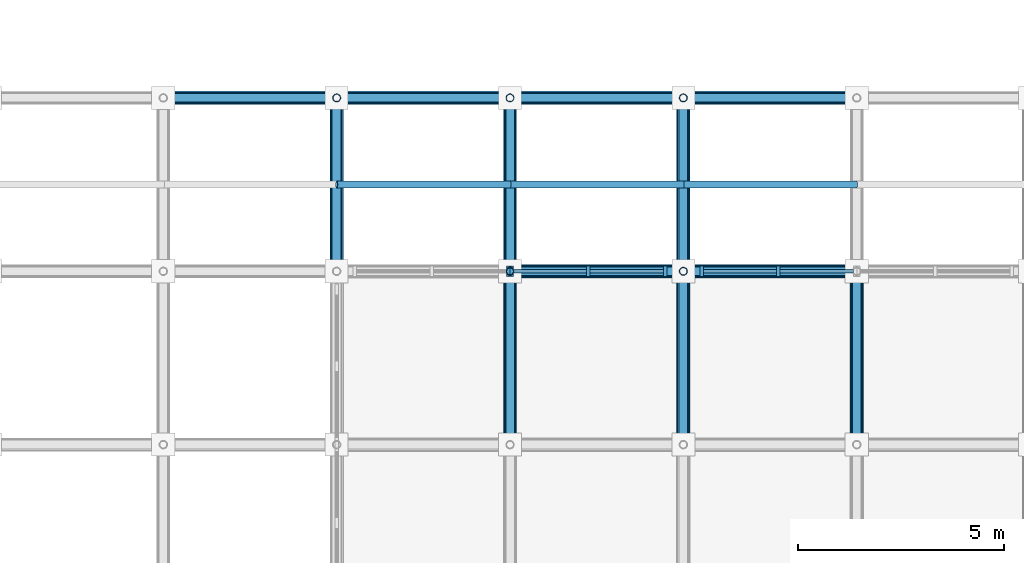
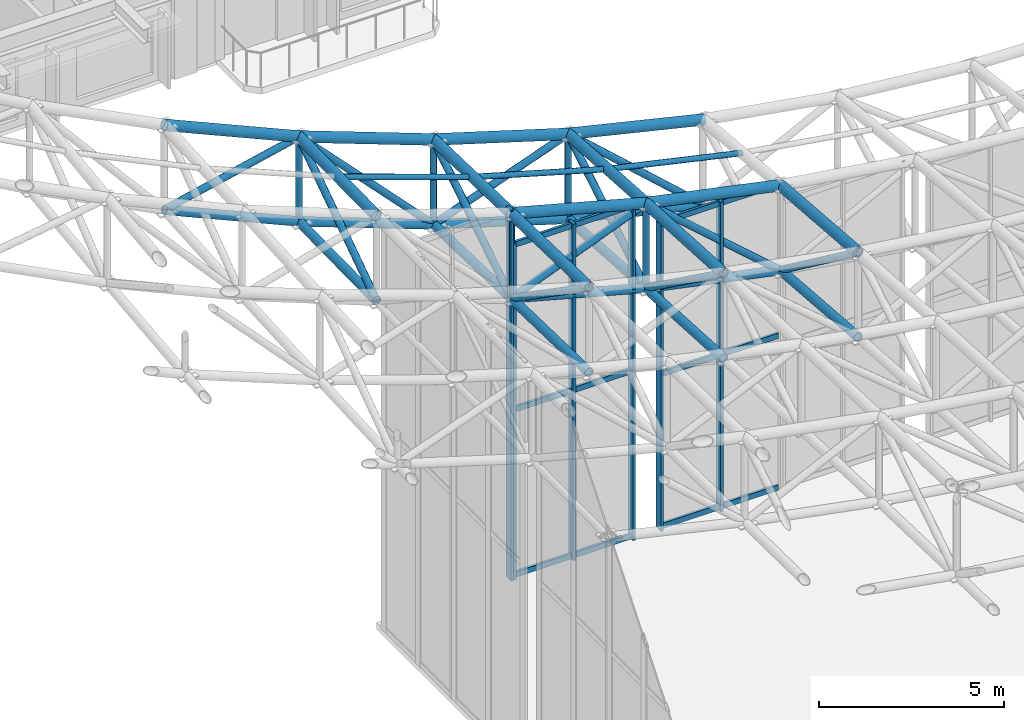
# One storey, part 47 of 93: 62 members, 3 elements without a shape of their own.
"""IFC4 building model written with IfcOpenShell, lengths in metres."""

from ifc_helpers import new_model, si_unit, direction, frame, origin, origin_2d, place, context, subcontext, project, spatial, rectangle, hollow_circle, extrude, material, material_profile, profile_set, type_object, element, aggregate, save


model = new_model("IFC4")

# Units and contexts
model_context = context("Model", 3, precision=1e-05, world=origin(), true_north=direction((0.0, 1.0)))
body_context = subcontext(model_context, "Body", "Model", "MODEL_VIEW")
ifc_project = project(units=[si_unit("LENGTHUNIT", "METRE"), si_unit("AREAUNIT", "SQUARE_METRE"), si_unit("VOLUMEUNIT", "CUBIC_METRE"), si_unit("PLANEANGLEUNIT", "RADIAN"), si_unit("MASSUNIT", "GRAM", prefix="KILO")], contexts=[model_context])

# Site, building, storey
site_placement = place(None, origin())
site = spatial("IfcSite", under=ifc_project, at=site_placement, CompositionType="ELEMENT")
building_placement = place(site_placement, origin())
building = spatial("IfcBuilding", under=site, at=building_placement, Name="Cumbredor Promenade Congress Hotel", CompositionType="ELEMENT")
storey_placement = place(building_placement, frame((0.0, 0.0, 21.840087890625)))
storey = spatial("IfcBuildingStorey", under=building, at=storey_placement, Name="L06", CompositionType="ELEMENT", Elevation=21.840087890625)

# Curtain wall, member
ifc_material_1 = material(Name="Thermally broken anodized aluminium and low-E glass", Category="aluminium")
curtain_wall_type = type_object("IfcCurtainWallType", Name="Stepped Pavilion Clerestory Curtain Wall CW-06", PredefinedType="NOTDEFINED", material=ifc_material_1)
curtain_wall_1_placement = place(storey_placement, origin())
curtain_wall_1 = element("IfcCurtainWall", 1, at=curtain_wall_1_placement, inside=storey, type_object=curtain_wall_type, Name="Plenary Congress Hall N Glazed Clerestory 1", PredefinedType="NOTDEFINED")
ifc_material_2 = material(Name="Thermally broken anodized aluminium", Category="aluminium")
ifc_material_profile_1 = material_profile(ifc_material_2, rectangle(XDim=0.0849609375, YDim=0.260009765625, at=origin_2d()), Name="ALU MULLION CLERESTORY 85x260")
ifc_profile_set_1 = profile_set([ifc_material_profile_1], Name="Thermally broken anodized aluminium")
member_type_1 = type_object("IfcMemberType", Name="Curtain Wall Mullion ML-04", PredefinedType="MULLION", material=ifc_profile_set_1)
member_1_placement = place(storey_placement, frame((12.56005859375, 67.199951171875, -0.01806640625), z_axis=(0.0, 0.0, 1.0), x_axis=(1.0, 0.0, 0.0)))
member_1 = element("IfcMember", 2, at=member_1_placement, type_object=member_type_1, Name="Plenary Congress Hall N Glazed Clerestory 1 Mullion 3", PredefinedType="MULLION", context=body_context, shape_type="SweptSolid", body=[
    extrude(rectangle(XDim=0.0849609375, YDim=0.260009765625, at=origin_2d()), origin(), (0.0, 0.0, 1.0), 12.2236328125),
])
aggregate(curtain_wall_1, [member_1])

# Curtain wall, members
curtain_wall_2_placement = place(storey_placement, origin())
curtain_wall_2 = element("IfcCurtainWall", 3, at=curtain_wall_2_placement, inside=storey, type_object=curtain_wall_type, Name="Plenary Congress Hall N Glazed Clerestory 2", PredefinedType="NOTDEFINED")
member_2_placement = place(storey_placement, frame((12.639892578125, 67.199951171875, -0.01806640625), z_axis=(0.0, 0.0, 1.0), x_axis=(1.0, 0.0, 0.0)))
member_2 = element("IfcMember", 4, at=member_2_placement, type_object=member_type_1, Name="Plenary Congress Hall N Glazed Clerestory 2 Mullion 1", PredefinedType="MULLION", context=body_context, shape_type="SweptSolid", body=[
    extrude(rectangle(XDim=0.0849609375, YDim=0.260009765625, at=origin_2d()), origin(), (0.0, 0.0, 1.0), 11.090087890625),
])
member_3_placement = place(storey_placement, frame((14.5, 67.199951171875, -0.01806640625), z_axis=(0.0, 0.0, 1.0), x_axis=(1.0, 0.0, 0.0)))
member_3 = element("IfcMember", 5, at=member_3_placement, type_object=member_type_1, Name="Plenary Congress Hall N Glazed Clerestory 2 Mullion 2", PredefinedType="MULLION", context=body_context, shape_type="SweptSolid", body=[
    extrude(rectangle(XDim=0.0849609375, YDim=0.260009765625, at=origin_2d()), origin(), (0.0, 0.0, 1.0), 11.090087890625),
])
member_4_placement = place(storey_placement, frame((16.360107421875, 67.199951171875, -0.01806640625), z_axis=(0.0, 0.0, 1.0), x_axis=(1.0, 0.0, 0.0)))
member_4 = element("IfcMember", 6, at=member_4_placement, type_object=member_type_1, Name="Plenary Congress Hall N Glazed Clerestory 2 Mullion 3", PredefinedType="MULLION", context=body_context, shape_type="SweptSolid", body=[
    extrude(rectangle(XDim=0.0849609375, YDim=0.260009765625, at=origin_2d()), origin(), (0.0, 0.0, 1.0), 11.090087890625),
])

curtain_wall_3_placement = place(storey_placement, origin())
curtain_wall_3 = element("IfcCurtainWall", 7, at=curtain_wall_3_placement, inside=storey, type_object=curtain_wall_type, Name="Plenary Congress Hall N Glazed Clerestory 3", PredefinedType="NOTDEFINED")
member_5_placement = place(storey_placement, frame((17.239990234375, 67.199951171875, -0.01806640625), z_axis=(0.0, 0.0, 1.0), x_axis=(1.0, 0.0, 0.0)))
member_5 = element("IfcMember", 8, at=member_5_placement, type_object=member_type_1, Name="Plenary Congress Hall N Glazed Clerestory 3 Mullion 1", PredefinedType="MULLION", context=body_context, shape_type="SweptSolid", body=[
    extrude(rectangle(XDim=0.0849609375, YDim=0.260009765625, at=origin_2d()), origin(), (0.0, 0.0, 1.0), 10.208251953125),
])
member_6_placement = place(storey_placement, frame((19.10009765625, 67.199951171875, -0.01806640625), z_axis=(0.0, 0.0, 1.0), x_axis=(1.0, 0.0, 0.0)))
member_6 = element("IfcMember", 9, at=member_6_placement, type_object=member_type_1, Name="Plenary Congress Hall N Glazed Clerestory 3 Mullion 2", PredefinedType="MULLION", context=body_context, shape_type="SweptSolid", body=[
    extrude(rectangle(XDim=0.0849609375, YDim=0.260009765625, at=origin_2d()), origin(), (0.0, 0.0, 1.0), 10.208251953125),
])

# Member
ifc_material_profile_2 = material_profile(ifc_material_2, rectangle(XDim=0.080078125, YDim=0.179931640625, at=origin_2d()), Name="ALU TRANSOM 80x180")
ifc_profile_set_2 = profile_set([ifc_material_profile_2], Name="Thermally broken anodized aluminium")
member_type_2 = type_object("IfcMemberType", Name="Curtain Wall Transom TR-03", PredefinedType="USERDEFINED", material=ifc_profile_set_2)
member_7_placement = place(storey_placement, frame((12.6826171875, 67.199951171875, 0.079833984375), z_axis=(1.0, 0.0, 0.0), x_axis=(0.0, 1.0, 0.0)))
member_7 = element("IfcMember", 10, at=member_7_placement, type_object=member_type_2, Name="Plenary Congress Hall N Glazed Clerestory 2 Transom 1.1", ObjectType="TRANSOM", PredefinedType="USERDEFINED", context=body_context, shape_type="SweptSolid", body=[
    extrude(rectangle(XDim=0.080078125, YDim=0.179931640625, at=origin_2d()), origin(), (0.0, 0.0, 1.0), 1.77490234375),
])

member_8_placement = place(storey_placement, frame((12.6826171875, 67.199951171875, 5.530029296875), z_axis=(1.0, 0.0, 0.0), x_axis=(0.0, 1.0, 0.0)))
member_8 = element("IfcMember", 11, at=member_8_placement, type_object=member_type_2, Name="Plenary Congress Hall N Glazed Clerestory 2 Transom 1.2", ObjectType="TRANSOM", PredefinedType="USERDEFINED", context=body_context, shape_type="SweptSolid", body=[
    extrude(rectangle(XDim=0.080078125, YDim=0.179931640625, at=origin_2d()), origin(), (0.0, 0.0, 1.0), 1.77490234375),
])

member_9_placement = place(storey_placement, frame((12.6826171875, 67.199951171875, 10.969970703125), z_axis=(1.0, 0.0, 0.0), x_axis=(0.0, 1.0, 0.0)))
member_9 = element("IfcMember", 12, at=member_9_placement, type_object=member_type_2, Name="Plenary Congress Hall N Glazed Clerestory 2 Transom 1.3", ObjectType="TRANSOM", PredefinedType="USERDEFINED", context=body_context, shape_type="SweptSolid", body=[
    extrude(rectangle(XDim=0.080078125, YDim=0.179931640625, at=origin_2d()), origin(), (0.0, 0.0, 1.0), 1.77490234375),
])

member_10_placement = place(storey_placement, frame((14.54248046875, 67.199951171875, 0.079833984375), z_axis=(1.0, 0.0, 0.0), x_axis=(0.0, 1.0, 0.0)))
member_10 = element("IfcMember", 13, at=member_10_placement, type_object=member_type_2, Name="Plenary Congress Hall N Glazed Clerestory 2 Transom 2.1", ObjectType="TRANSOM", PredefinedType="USERDEFINED", context=body_context, shape_type="SweptSolid", body=[
    extrude(rectangle(XDim=0.080078125, YDim=0.179931640625, at=origin_2d()), origin(), (0.0, 0.0, 1.0), 1.77490234375),
])

member_11_placement = place(storey_placement, frame((14.54248046875, 67.199951171875, 5.530029296875), z_axis=(1.0, 0.0, 0.0), x_axis=(0.0, 1.0, 0.0)))
member_11 = element("IfcMember", 14, at=member_11_placement, type_object=member_type_2, Name="Plenary Congress Hall N Glazed Clerestory 2 Transom 2.2", ObjectType="TRANSOM", PredefinedType="USERDEFINED", context=body_context, shape_type="SweptSolid", body=[
    extrude(rectangle(XDim=0.080078125, YDim=0.179931640625, at=origin_2d()), origin(), (0.0, 0.0, 1.0), 1.77490234375),
])

member_12_placement = place(storey_placement, frame((14.54248046875, 67.199951171875, 10.969970703125), z_axis=(1.0, 0.0, 0.0), x_axis=(0.0, 1.0, 0.0)))
member_12 = element("IfcMember", 15, at=member_12_placement, type_object=member_type_2, Name="Plenary Congress Hall N Glazed Clerestory 2 Transom 2.3", ObjectType="TRANSOM", PredefinedType="USERDEFINED", context=body_context, shape_type="SweptSolid", body=[
    extrude(rectangle(XDim=0.080078125, YDim=0.179931640625, at=origin_2d()), origin(), (0.0, 0.0, 1.0), 1.77490234375),
])

aggregate(curtain_wall_2, [member_2, member_3, member_4, member_7, member_8, member_9, member_10, member_11, member_12])

member_13_placement = place(storey_placement, frame((17.282470703125, 67.199951171875, 0.079833984375), z_axis=(1.0, 0.0, 0.0), x_axis=(0.0, 1.0, 0.0)))
member_13 = element("IfcMember", 16, at=member_13_placement, type_object=member_type_2, Name="Plenary Congress Hall N Glazed Clerestory 3 Transom 1.1", ObjectType="TRANSOM", PredefinedType="USERDEFINED", context=body_context, shape_type="SweptSolid", body=[
    extrude(rectangle(XDim=0.080078125, YDim=0.179931640625, at=origin_2d()), origin(), (0.0, 0.0, 1.0), 1.775146484375),
])

member_14_placement = place(storey_placement, frame((17.282470703125, 67.199951171875, 5.08984375), z_axis=(1.0, 0.0, 0.0), x_axis=(0.0, 1.0, 0.0)))
member_14 = element("IfcMember", 17, at=member_14_placement, type_object=member_type_2, Name="Plenary Congress Hall N Glazed Clerestory 3 Transom 1.2", ObjectType="TRANSOM", PredefinedType="USERDEFINED", context=body_context, shape_type="SweptSolid", body=[
    extrude(rectangle(XDim=0.080078125, YDim=0.179931640625, at=origin_2d()), origin(), (0.0, 0.0, 1.0), 1.775146484375),
])

member_15_placement = place(storey_placement, frame((17.282470703125, 67.199951171875, 10.08984375), z_axis=(1.0, 0.0, 0.0), x_axis=(0.0, 1.0, 0.0)))
member_15 = element("IfcMember", 18, at=member_15_placement, type_object=member_type_2, Name="Plenary Congress Hall N Glazed Clerestory 3 Transom 1.3", ObjectType="TRANSOM", PredefinedType="USERDEFINED", context=body_context, shape_type="SweptSolid", body=[
    extrude(rectangle(XDim=0.080078125, YDim=0.179931640625, at=origin_2d()), origin(), (0.0, 0.0, 1.0), 1.775146484375),
])

member_16_placement = place(storey_placement, frame((19.142578125, 67.199951171875, 0.079833984375), z_axis=(1.0, 0.0, 0.0), x_axis=(0.0, 1.0, 0.0)))
member_16 = element("IfcMember", 19, at=member_16_placement, type_object=member_type_2, Name="Plenary Congress Hall N Glazed Clerestory 3 Transom 2.1", ObjectType="TRANSOM", PredefinedType="USERDEFINED", context=body_context, shape_type="SweptSolid", body=[
    extrude(rectangle(XDim=0.080078125, YDim=0.179931640625, at=origin_2d()), origin(), (0.0, 0.0, 1.0), 1.77490234375),
])

member_17_placement = place(storey_placement, frame((19.142578125, 67.199951171875, 5.08984375), z_axis=(1.0, 0.0, 0.0), x_axis=(0.0, 1.0, 0.0)))
member_17 = element("IfcMember", 20, at=member_17_placement, type_object=member_type_2, Name="Plenary Congress Hall N Glazed Clerestory 3 Transom 2.2", ObjectType="TRANSOM", PredefinedType="USERDEFINED", context=body_context, shape_type="SweptSolid", body=[
    extrude(rectangle(XDim=0.080078125, YDim=0.179931640625, at=origin_2d()), origin(), (0.0, 0.0, 1.0), 1.77490234375),
])

member_18_placement = place(storey_placement, frame((19.142578125, 67.199951171875, 10.08984375), z_axis=(1.0, 0.0, 0.0), x_axis=(0.0, 1.0, 0.0)))
member_18 = element("IfcMember", 21, at=member_18_placement, type_object=member_type_2, Name="Plenary Congress Hall N Glazed Clerestory 3 Transom 2.3", ObjectType="TRANSOM", PredefinedType="USERDEFINED", context=body_context, shape_type="SweptSolid", body=[
    extrude(rectangle(XDim=0.080078125, YDim=0.179931640625, at=origin_2d()), origin(), (0.0, 0.0, 1.0), 1.77490234375),
])

aggregate(curtain_wall_3, [member_5, member_6, member_13, member_14, member_15, member_16, member_17, member_18])

# Members
ifc_material_3 = material(Name="Steel ASTM A500 Grade C", Category="steel")
ifc_material_profile_3 = material_profile(ifc_material_3, hollow_circle(Radius=0.136474609375, WallThickness=0.01611328125, at=origin_2d()), Name="CHS 273.0x16")
ifc_profile_set_3 = profile_set([ifc_material_profile_3], Name="Steel ASTM A500 Grade C")
member_type_3 = type_object("IfcMemberType", Name="Plenary Roof Space Frame Bottom Chord", PredefinedType="CHORD", material=ifc_profile_set_3)
member_19_placement = place(storey_placement, frame((12.60009765625, 67.199951171875, 9.2177734375), z_axis=(0.96544052123, 0.0, -0.260623483148), x_axis=(0.0, 1.0, 0.0)))
element("IfcMember", 22, at=member_19_placement, inside=storey, type_object=member_type_3, Name="Plenary Congress Hall X Bottom Chord 5.17", PredefinedType="CHORD", context=body_context, shape_type="SweptSolid", body=[
    extrude(hollow_circle(Radius=0.136474609375, WallThickness=0.01611328125, at=origin_2d()), origin(), (0.0, 0.0, 1.0), 4.350341796875),
])
member_20_placement = place(storey_placement, frame((16.800048828125, 67.199951171875, 8.083984375), z_axis=(0.978672143388, 0.0, -0.20542842003), x_axis=(0.0, 1.0, 0.0)))
element("IfcMember", 23, at=member_20_placement, inside=storey, type_object=member_type_3, Name="Plenary Congress Hall X Bottom Chord 6.17", PredefinedType="CHORD", context=body_context, shape_type="SweptSolid", body=[
    extrude(hollow_circle(Radius=0.136474609375, WallThickness=0.01611328125, at=origin_2d()), origin(), (0.0, 0.0, 1.0), 4.29150390625),
])
member_21_placement = place(storey_placement, frame((4.199951171875, 71.39990234375, 12.52587890625), z_axis=(0.914850207029, 0.0, -0.403793386152), x_axis=(0.0, 1.0, 0.0)))
element("IfcMember", 24, at=member_21_placement, inside=storey, type_object=member_type_3, Name="Plenary Congress Hall X Bottom Chord 3.18", PredefinedType="CHORD", context=body_context, shape_type="SweptSolid", body=[
    extrude(hollow_circle(Radius=0.136474609375, WallThickness=0.01611328125, at=origin_2d()), origin(), (0.0, 0.0, 1.0), 4.5908203125),
])
member_22_placement = place(storey_placement, frame((8.39990234375, 71.39990234375, 10.672119140625), z_axis=(0.936767035001, 0.0, -0.349953599974), x_axis=(0.0, 1.0, 0.0)))
element("IfcMember", 25, at=member_22_placement, inside=storey, type_object=member_type_3, Name="Plenary Congress Hall X Bottom Chord 4.18", PredefinedType="CHORD", context=body_context, shape_type="SweptSolid", body=[
    extrude(hollow_circle(Radius=0.136474609375, WallThickness=0.01611328125, at=origin_2d()), origin(), (0.0, 0.0, 1.0), 4.483642578125),
])
member_23_placement = place(storey_placement, frame((12.60009765625, 71.39990234375, 9.10302734375), z_axis=(0.956327832957, 0.0, -0.292296212619), x_axis=(0.0, 1.0, 0.0)))
element("IfcMember", 26, at=member_23_placement, inside=storey, type_object=member_type_3, Name="Plenary Congress Hall X Bottom Chord 5.18", PredefinedType="CHORD", context=body_context, shape_type="SweptSolid", body=[
    extrude(hollow_circle(Radius=0.136474609375, WallThickness=0.01611328125, at=origin_2d()), origin(), (0.0, 0.0, 1.0), 4.391845703125),
])
member_24_placement = place(storey_placement, frame((16.800048828125, 71.39990234375, 7.8193359375), z_axis=(0.972882011564, 0.0, -0.231301948922), x_axis=(0.0, 1.0, 0.0)))
element("IfcMember", 27, at=member_24_placement, inside=storey, type_object=member_type_3, Name="Plenary Congress Hall X Bottom Chord 6.18", PredefinedType="CHORD", context=body_context, shape_type="SweptSolid", body=[
    extrude(hollow_circle(Radius=0.136474609375, WallThickness=0.01611328125, at=origin_2d()), origin(), (0.0, 0.0, 1.0), 4.317138671875),
])
member_25_placement = place(storey_placement, frame((8.39990234375, 67.199951171875, 10.603271484375), z_axis=(0.0, 0.999865670213, 0.016390287682), x_axis=(-1.0, 0.0, 0.0)))
element("IfcMember", 28, at=member_25_placement, inside=storey, type_object=member_type_3, Name="Plenary Congress Hall Y Bottom Chord 4.17", PredefinedType="CHORD", context=body_context, shape_type="SweptSolid", body=[
    extrude(hollow_circle(Radius=0.136474609375, WallThickness=0.01611328125, at=origin_2d()), origin(), (0.0, 0.0, 1.0), 4.200439453125),
])
member_26_placement = place(storey_placement, frame((12.60009765625, 63.0, 9.321533203125), z_axis=(0.0, 0.999694971273, -0.024697457582), x_axis=(-1.0, 0.0, 0.0)))
element("IfcMember", 29, at=member_26_placement, inside=storey, type_object=member_type_3, Name="Plenary Congress Hall Y Bottom Chord 5.16", PredefinedType="CHORD", context=body_context, shape_type="SweptSolid", body=[
    extrude(hollow_circle(Radius=0.136474609375, WallThickness=0.01611328125, at=origin_2d()), origin(), (0.0, 0.0, 1.0), 4.201171875),
])
member_27_placement = place(storey_placement, frame((12.60009765625, 67.199951171875, 9.2177734375), z_axis=(0.0, 0.999626995305, -0.027310625344), x_axis=(-1.0, 0.0, 0.0)))
element("IfcMember", 30, at=member_27_placement, inside=storey, type_object=member_type_3, Name="Plenary Congress Hall Y Bottom Chord 5.17", PredefinedType="CHORD", context=body_context, shape_type="SweptSolid", body=[
    extrude(hollow_circle(Radius=0.136474609375, WallThickness=0.01611328125, at=origin_2d()), origin(), (0.0, 0.0, 1.0), 4.201416015625),
])
member_28_placement = place(storey_placement, frame((16.800048828125, 63.0, 8.318115234375), z_axis=(0.0, 0.998449798831, -0.055659673143), x_axis=(-1.0, 0.0, 0.0)))
element("IfcMember", 31, at=member_28_placement, inside=storey, type_object=member_type_3, Name="Plenary Congress Hall Y Bottom Chord 6.16", PredefinedType="CHORD", context=body_context, shape_type="SweptSolid", body=[
    extrude(hollow_circle(Radius=0.136474609375, WallThickness=0.01611328125, at=origin_2d()), origin(), (0.0, 0.0, 1.0), 4.20654296875),
])
member_29_placement = place(storey_placement, frame((16.800048828125, 67.199951171875, 8.083984375), z_axis=(0.0, 0.998020619679, -0.062887540065), x_axis=(-1.0, 0.0, 0.0)))
element("IfcMember", 32, at=member_29_placement, inside=storey, type_object=member_type_3, Name="Plenary Congress Hall Y Bottom Chord 6.17", PredefinedType="CHORD", context=body_context, shape_type="SweptSolid", body=[
    extrude(hollow_circle(Radius=0.136474609375, WallThickness=0.01611328125, at=origin_2d()), origin(), (0.0, 0.0, 1.0), 4.208251953125),
])
member_30_placement = place(storey_placement, frame((21.0, 63.0, 7.53759765625), z_axis=(0.0, 0.996830184947, -0.079558672553), x_axis=(-1.0, 0.0, 0.0)))
element("IfcMember", 33, at=member_30_placement, inside=storey, type_object=member_type_3, Name="Plenary Congress Hall Y Bottom Chord 7.16", PredefinedType="CHORD", context=body_context, shape_type="SweptSolid", body=[
    extrude(hollow_circle(Radius=0.136474609375, WallThickness=0.01611328125, at=origin_2d()), origin(), (0.0, 0.0, 1.0), 4.21337890625),
])
ifc_material_profile_4 = material_profile(ifc_material_3, hollow_circle(Radius=0.161865234375, WallThickness=0.01611328125, at=origin_2d()), Name="CHS 323.9x16")
ifc_profile_set_4 = profile_set([ifc_material_profile_4], Name="Steel ASTM A500 Grade C")
member_type_4 = type_object("IfcMemberType", Name="Plenary Roof Space Frame Top Chord", PredefinedType="CHORD", material=ifc_profile_set_4)
member_31_placement = place(storey_placement, frame((12.60009765625, 67.199951171875, 12.017822265625), z_axis=(0.96544052123, 0.0, -0.260623483148), x_axis=(0.0, 1.0, 0.0)))
element("IfcMember", 34, at=member_31_placement, inside=storey, type_object=member_type_4, Name="Plenary Congress Hall X Top Chord 5.17", PredefinedType="CHORD", context=body_context, shape_type="SweptSolid", body=[
    extrude(hollow_circle(Radius=0.161865234375, WallThickness=0.01611328125, at=origin_2d()), origin(), (0.0, 0.0, 1.0), 4.350341796875),
])
member_32_placement = place(storey_placement, frame((16.800048828125, 67.199951171875, 10.884033203125), z_axis=(0.978660704513, 0.0, -0.205482907906), x_axis=(0.0, 1.0, 0.0)))
element("IfcMember", 35, at=member_32_placement, inside=storey, type_object=member_type_4, Name="Plenary Congress Hall X Top Chord 6.17", PredefinedType="CHORD", context=body_context, shape_type="SweptSolid", body=[
    extrude(hollow_circle(Radius=0.161865234375, WallThickness=0.01611328125, at=origin_2d()), origin(), (0.0, 0.0, 1.0), 4.29150390625),
])
member_33_placement = place(storey_placement, frame((4.199951171875, 71.39990234375, 15.325927734375), z_axis=(0.914850207029, 0.0, -0.403793386152), x_axis=(0.0, 1.0, 0.0)))
element("IfcMember", 36, at=member_33_placement, inside=storey, type_object=member_type_4, Name="Plenary Congress Hall X Top Chord 3.18", PredefinedType="CHORD", context=body_context, shape_type="SweptSolid", body=[
    extrude(hollow_circle(Radius=0.161865234375, WallThickness=0.01611328125, at=origin_2d()), origin(), (0.0, 0.0, 1.0), 4.5908203125),
])
member_34_placement = place(storey_placement, frame((8.39990234375, 71.39990234375, 13.47216796875), z_axis=(0.936767035001, 0.0, -0.349953599974), x_axis=(0.0, 1.0, 0.0)))
element("IfcMember", 37, at=member_34_placement, inside=storey, type_object=member_type_4, Name="Plenary Congress Hall X Top Chord 4.18", PredefinedType="CHORD", context=body_context, shape_type="SweptSolid", body=[
    extrude(hollow_circle(Radius=0.161865234375, WallThickness=0.01611328125, at=origin_2d()), origin(), (0.0, 0.0, 1.0), 4.483642578125),
])
member_35_placement = place(storey_placement, frame((12.60009765625, 71.39990234375, 11.903076171875), z_axis=(0.956327832957, 0.0, -0.292296212619), x_axis=(0.0, 1.0, 0.0)))
element("IfcMember", 38, at=member_35_placement, inside=storey, type_object=member_type_4, Name="Plenary Congress Hall X Top Chord 5.18", PredefinedType="CHORD", context=body_context, shape_type="SweptSolid", body=[
    extrude(hollow_circle(Radius=0.161865234375, WallThickness=0.01611328125, at=origin_2d()), origin(), (0.0, 0.0, 1.0), 4.391845703125),
])
member_36_placement = place(storey_placement, frame((16.800048828125, 71.39990234375, 10.619384765625), z_axis=(0.972882011564, 0.0, -0.231301948922), x_axis=(0.0, 1.0, 0.0)))
element("IfcMember", 39, at=member_36_placement, inside=storey, type_object=member_type_4, Name="Plenary Congress Hall X Top Chord 6.18", PredefinedType="CHORD", context=body_context, shape_type="SweptSolid", body=[
    extrude(hollow_circle(Radius=0.161865234375, WallThickness=0.01611328125, at=origin_2d()), origin(), (0.0, 0.0, 1.0), 4.317138671875),
])
member_37_placement = place(storey_placement, frame((8.39990234375, 67.199951171875, 13.4033203125), z_axis=(0.0, 0.999865670213, 0.016390287682), x_axis=(-1.0, 0.0, 0.0)))
element("IfcMember", 40, at=member_37_placement, inside=storey, type_object=member_type_4, Name="Plenary Congress Hall Y Top Chord 4.17", PredefinedType="CHORD", context=body_context, shape_type="SweptSolid", body=[
    extrude(hollow_circle(Radius=0.161865234375, WallThickness=0.01611328125, at=origin_2d()), origin(), (0.0, 0.0, 1.0), 4.200439453125),
])
member_38_placement = place(storey_placement, frame((12.60009765625, 63.0, 12.12158203125), z_axis=(0.0, 0.999694971273, -0.024697457582), x_axis=(-1.0, 0.0, 0.0)))
element("IfcMember", 41, at=member_38_placement, inside=storey, type_object=member_type_4, Name="Plenary Congress Hall Y Top Chord 5.16", PredefinedType="CHORD", context=body_context, shape_type="SweptSolid", body=[
    extrude(hollow_circle(Radius=0.161865234375, WallThickness=0.01611328125, at=origin_2d()), origin(), (0.0, 0.0, 1.0), 4.201171875),
])
member_39_placement = place(storey_placement, frame((12.60009765625, 67.199951171875, 12.017822265625), z_axis=(0.0, 0.999626995305, -0.027310625344), x_axis=(-1.0, 0.0, 0.0)))
element("IfcMember", 42, at=member_39_placement, inside=storey, type_object=member_type_4, Name="Plenary Congress Hall Y Top Chord 5.17", PredefinedType="CHORD", context=body_context, shape_type="SweptSolid", body=[
    extrude(hollow_circle(Radius=0.161865234375, WallThickness=0.01611328125, at=origin_2d()), origin(), (0.0, 0.0, 1.0), 4.201416015625),
])
member_40_placement = place(storey_placement, frame((16.800048828125, 63.0, 11.1181640625), z_axis=(0.0, 0.998449798831, -0.055659673143), x_axis=(-1.0, 0.0, 0.0)))
element("IfcMember", 43, at=member_40_placement, inside=storey, type_object=member_type_4, Name="Plenary Congress Hall Y Top Chord 6.16", PredefinedType="CHORD", context=body_context, shape_type="SweptSolid", body=[
    extrude(hollow_circle(Radius=0.161865234375, WallThickness=0.01611328125, at=origin_2d()), origin(), (0.0, 0.0, 1.0), 4.20654296875),
])
member_41_placement = place(storey_placement, frame((16.800048828125, 67.199951171875, 10.884033203125), z_axis=(0.0, 0.998020619679, -0.062887540065), x_axis=(-1.0, 0.0, 0.0)))
element("IfcMember", 44, at=member_41_placement, inside=storey, type_object=member_type_4, Name="Plenary Congress Hall Y Top Chord 6.17", PredefinedType="CHORD", context=body_context, shape_type="SweptSolid", body=[
    extrude(hollow_circle(Radius=0.161865234375, WallThickness=0.01611328125, at=origin_2d()), origin(), (0.0, 0.0, 1.0), 4.208251953125),
])
member_42_placement = place(storey_placement, frame((21.0, 63.0, 10.337646484375), z_axis=(0.0, 0.99682558788, -0.079616250523), x_axis=(-1.0, 0.0, 0.0)))
element("IfcMember", 45, at=member_42_placement, inside=storey, type_object=member_type_4, Name="Plenary Congress Hall Y Top Chord 7.16", PredefinedType="CHORD", context=body_context, shape_type="SweptSolid", body=[
    extrude(hollow_circle(Radius=0.161865234375, WallThickness=0.01611328125, at=origin_2d()), origin(), (0.0, 0.0, 1.0), 4.21337890625),
])
ifc_material_profile_5 = material_profile(ifc_material_3, hollow_circle(Radius=0.084228515625, WallThickness=0.010009765625, at=origin_2d()), Name="CHS 168.3x10")
ifc_profile_set_5 = profile_set([ifc_material_profile_5], Name="Steel ASTM A500 Grade C")
member_type_5 = type_object("IfcMemberType", Name="Roof Purlin CHS168", PredefinedType="PURLIN", material=ifc_profile_set_5)
member_43_placement = place(storey_placement, frame((8.39990234375, 69.300048828125, 13.417724609375), z_axis=(0.943351170928, 0.0, -0.331795973918), x_axis=(0.0, 1.0, 0.0)))
element("IfcMember", 46, at=member_43_placement, inside=storey, type_object=member_type_5, Name="Plenary Congress Hall Roof Eave Purlin 4.17", PredefinedType="PURLIN", context=body_context, shape_type="SweptSolid", body=[
    extrude(hollow_circle(Radius=0.084228515625, WallThickness=0.010009765625, at=origin_2d()), origin(), (0.0, 0.0, 1.0), 4.452392578125),
])
member_44_placement = place(storey_placement, frame((12.60009765625, 69.300048828125, 11.9404296875), z_axis=(0.960993056812, 0.0, -0.276572494581), x_axis=(0.0, 1.0, 0.0)))
element("IfcMember", 47, at=member_44_placement, inside=storey, type_object=member_type_5, Name="Plenary Congress Hall Roof Eave Purlin 5.17", PredefinedType="PURLIN", context=body_context, shape_type="SweptSolid", body=[
    extrude(hollow_circle(Radius=0.084228515625, WallThickness=0.010009765625, at=origin_2d()), origin(), (0.0, 0.0, 1.0), 4.370361328125),
])
member_45_placement = place(storey_placement, frame((16.800048828125, 69.300048828125, 10.731689453125), z_axis=(0.975848194102, 0.0, -0.218449770126), x_axis=(0.0, 1.0, 0.0)))
element("IfcMember", 48, at=member_45_placement, inside=storey, type_object=member_type_5, Name="Plenary Congress Hall Roof Eave Purlin 6.17", PredefinedType="PURLIN", context=body_context, shape_type="SweptSolid", body=[
    extrude(hollow_circle(Radius=0.084228515625, WallThickness=0.010009765625, at=origin_2d()), origin(), (0.0, 0.0, 1.0), 4.303955078125),
])
ifc_material_profile_6 = material_profile(ifc_material_3, hollow_circle(Radius=0.109619140625, WallThickness=0.012451171875, at=origin_2d()), Name="CHS 219.1x12.5")
ifc_profile_set_6 = profile_set([ifc_material_profile_6], Name="Steel ASTM A500 Grade C")
member_type_6 = type_object("IfcMemberType", Name="Space Frame Web Diagonal D1", PredefinedType="BRACE", material=ifc_profile_set_6)
member_46_placement = place(storey_placement, frame((12.60009765625, 67.199951171875, 9.2177734375), z_axis=(0.929520112027, 0.0, 0.36877142153), x_axis=(0.0, 1.0, 0.0)))
element("IfcMember", 49, at=member_46_placement, inside=storey, type_object=member_type_6, Name="Plenary Congress Hall X Web Diagonal 5.17", PredefinedType="BRACE", context=body_context, shape_type="SweptSolid", body=[
    extrude(hollow_circle(Radius=0.109619140625, WallThickness=0.012451171875, at=origin_2d()), origin(), (0.0, 0.0, 1.0), 4.518310546875),
])
member_47_placement = place(storey_placement, frame((16.800048828125, 67.199951171875, 10.884033203125), z_axis=(0.751983371698, 0.0, -0.659182075522), x_axis=(0.0, 1.0, 0.0)))
element("IfcMember", 50, at=member_47_placement, inside=storey, type_object=member_type_6, Name="Plenary Congress Hall X Web Diagonal 6.17", PredefinedType="BRACE", context=body_context, shape_type="SweptSolid", body=[
    extrude(hollow_circle(Radius=0.109619140625, WallThickness=0.012451171875, at=origin_2d()), origin(), (0.0, 0.0, 1.0), 5.585205078125),
])
member_48_placement = place(storey_placement, frame((4.199951171875, 71.39990234375, 12.52587890625), z_axis=(0.975545044553, 0.0, 0.219799604295), x_axis=(0.0, 1.0, 0.0)))
element("IfcMember", 51, at=member_48_placement, inside=storey, type_object=member_type_6, Name="Plenary Congress Hall X Web Diagonal 3.18", PredefinedType="BRACE", context=body_context, shape_type="SweptSolid", body=[
    extrude(hollow_circle(Radius=0.109619140625, WallThickness=0.012451171875, at=origin_2d()), origin(), (0.0, 0.0, 1.0), 4.30517578125),
])
member_49_placement = place(storey_placement, frame((8.39990234375, 71.39990234375, 13.47216796875), z_axis=(0.693031428057, 0.0, -0.720907372501), x_axis=(0.0, 1.0, 0.0)))
element("IfcMember", 52, at=member_49_placement, inside=storey, type_object=member_type_6, Name="Plenary Congress Hall X Web Diagonal 4.18", PredefinedType="BRACE", context=body_context, shape_type="SweptSolid", body=[
    extrude(hollow_circle(Radius=0.109619140625, WallThickness=0.012451171875, at=origin_2d()), origin(), (0.0, 0.0, 1.0), 6.060546875),
])
member_50_placement = place(storey_placement, frame((12.60009765625, 71.39990234375, 9.10302734375), z_axis=(0.940574760272, 0.0, 0.339586690464), x_axis=(0.0, 1.0, 0.0)))
element("IfcMember", 53, at=member_50_placement, inside=storey, type_object=member_type_6, Name="Plenary Congress Hall X Web Diagonal 5.18", PredefinedType="BRACE", context=body_context, shape_type="SweptSolid", body=[
    extrude(hollow_circle(Radius=0.109619140625, WallThickness=0.012451171875, at=origin_2d()), origin(), (0.0, 0.0, 1.0), 4.46533203125),
])
member_51_placement = place(storey_placement, frame((16.800048828125, 71.39990234375, 10.619384765625), z_axis=(0.741656287329, 0.0, -0.670780106641), x_axis=(0.0, 1.0, 0.0)))
element("IfcMember", 54, at=member_51_placement, inside=storey, type_object=member_type_6, Name="Plenary Congress Hall X Web Diagonal 6.18", PredefinedType="BRACE", context=body_context, shape_type="SweptSolid", body=[
    extrude(hollow_circle(Radius=0.109619140625, WallThickness=0.012451171875, at=origin_2d()), origin(), (0.0, 0.0, 1.0), 5.662841796875),
])
member_52_placement = place(storey_placement, frame((8.39990234375, 67.199951171875, 10.603271484375), z_axis=(0.0, 0.825742637592, 0.564047069368), x_axis=(-1.0, 0.0, 0.0)))
element("IfcMember", 55, at=member_52_placement, inside=storey, type_object=member_type_6, Name="Plenary Congress Hall Y Web Diagonal 4.17", PredefinedType="BRACE", context=body_context, shape_type="SweptSolid", body=[
    extrude(hollow_circle(Radius=0.109619140625, WallThickness=0.012451171875, at=origin_2d()), origin(), (0.0, 0.0, 1.0), 5.086181640625),
])
member_53_placement = place(storey_placement, frame((12.60009765625, 63.0, 12.12158203125), z_axis=(0.0, 0.822544901259, -0.568700171806), x_axis=(-1.0, 0.0, 0.0)))
element("IfcMember", 56, at=member_53_placement, inside=storey, type_object=member_type_6, Name="Plenary Congress Hall Y Web Diagonal 5.16", PredefinedType="BRACE", context=body_context, shape_type="SweptSolid", body=[
    extrude(hollow_circle(Radius=0.109619140625, WallThickness=0.012451171875, at=origin_2d()), origin(), (0.0, 0.0, 1.0), 5.10595703125),
])
member_54_placement = place(storey_placement, frame((12.60009765625, 67.199951171875, 9.2177734375), z_axis=(0.0, 0.842514132567, 0.538674239615), x_axis=(-1.0, 0.0, 0.0)))
element("IfcMember", 57, at=member_54_placement, inside=storey, type_object=member_type_6, Name="Plenary Congress Hall Y Web Diagonal 5.17", PredefinedType="BRACE", context=body_context, shape_type="SweptSolid", body=[
    extrude(hollow_circle(Radius=0.109619140625, WallThickness=0.012451171875, at=origin_2d()), origin(), (0.0, 0.0, 1.0), 4.985107421875),
])
member_55_placement = place(storey_placement, frame((16.800048828125, 63.0, 11.1181640625), z_axis=(0.0, 0.810598457886, -0.585602373691), x_axis=(-1.0, 0.0, 0.0)))
element("IfcMember", 58, at=member_55_placement, inside=storey, type_object=member_type_6, Name="Plenary Congress Hall Y Web Diagonal 6.16", PredefinedType="BRACE", context=body_context, shape_type="SweptSolid", body=[
    extrude(hollow_circle(Radius=0.109619140625, WallThickness=0.012451171875, at=origin_2d()), origin(), (0.0, 0.0, 1.0), 5.181396484375),
])
member_56_placement = place(storey_placement, frame((16.800048828125, 67.199951171875, 8.083984375), z_axis=(0.0, 0.85610225014, 0.51680647955), x_axis=(-1.0, 0.0, 0.0)))
element("IfcMember", 59, at=member_56_placement, inside=storey, type_object=member_type_6, Name="Plenary Congress Hall Y Web Diagonal 6.17", PredefinedType="BRACE", context=body_context, shape_type="SweptSolid", body=[
    extrude(hollow_circle(Radius=0.109619140625, WallThickness=0.012451171875, at=origin_2d()), origin(), (0.0, 0.0, 1.0), 4.906005859375),
])
member_57_placement = place(storey_placement, frame((21.0, 63.0, 10.337646484375), z_axis=(0.0, 0.801345126561, -0.598202297), x_axis=(-1.0, 0.0, 0.0)))
element("IfcMember", 60, at=member_57_placement, inside=storey, type_object=member_type_6, Name="Plenary Congress Hall Y Web Diagonal 7.16", PredefinedType="BRACE", context=body_context, shape_type="SweptSolid", body=[
    extrude(hollow_circle(Radius=0.109619140625, WallThickness=0.012451171875, at=origin_2d()), origin(), (0.0, 0.0, 1.0), 5.2412109375),
])
ifc_material_profile_7 = material_profile(ifc_material_3, hollow_circle(Radius=0.096923828125, WallThickness=0.010009765625, at=origin_2d()), Name="CHS 193.7x10")
ifc_profile_set_7 = profile_set([ifc_material_profile_7], Name="Steel ASTM A500 Grade C")
member_type_7 = type_object("IfcMemberType", Name="Space Frame Web Post P1", PredefinedType="BRACE", material=ifc_profile_set_7)
for number, where, z_axis, x_axis, name in (
    (61, (8.39990234375, 71.39990234375, 10.672119140625), (0.0, 0.0, 1.0), (1.0, 0.0, 0.0), "Plenary Congress Hall Space Frame Web Post 4.18"),
    (62, (12.60009765625, 67.199951171875, 9.2177734375), (0.0, 0.0, 1.0), (1.0, 0.0, 0.0), "Plenary Congress Hall Space Frame Web Post 5.17"),
    (63, (12.60009765625, 71.39990234375, 9.10302734375), (0.0, 0.0, 1.0), (1.0, 0.0, 0.0), "Plenary Congress Hall Space Frame Web Post 5.18"),
    (64, (16.800048828125, 67.199951171875, 8.083984375), (0.0, 0.0, 1.0), (1.0, 0.0, 0.0), "Plenary Congress Hall Space Frame Web Post 6.17"),
    (65, (16.800048828125, 71.39990234375, 7.8193359375), (0.0, 0.0, 1.0), (1.0, 0.0, 0.0), "Plenary Congress Hall Space Frame Web Post 6.18"),
):
    element("IfcMember", number, at=place(storey_placement, frame(where, z_axis=z_axis, x_axis=x_axis)), inside=storey, type_object=member_type_7, Name=name, PredefinedType="BRACE", context=body_context, shape_type="SweptSolid", body=[
        extrude(hollow_circle(Radius=0.096923828125, WallThickness=0.010009765625, at=origin_2d()), origin(), (0.0, 0.0, 1.0), 2.800048828125),
    ])

save(model, "model.ifc")
